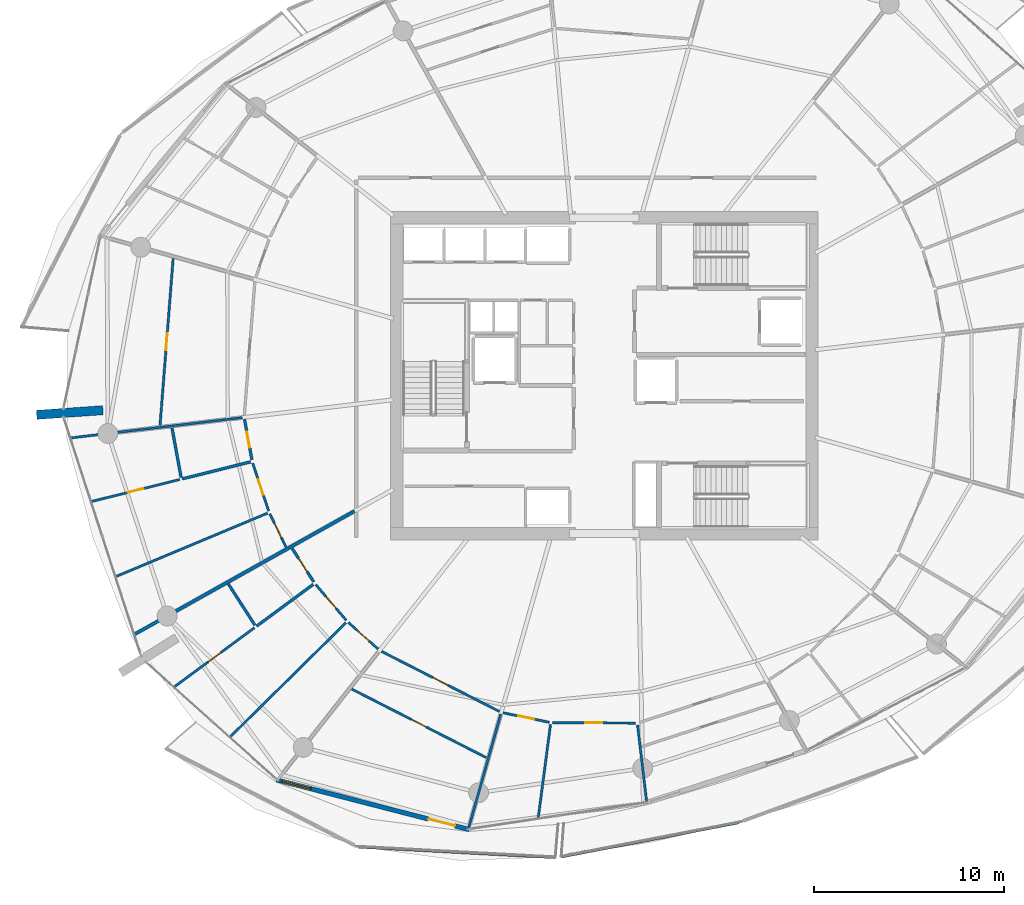
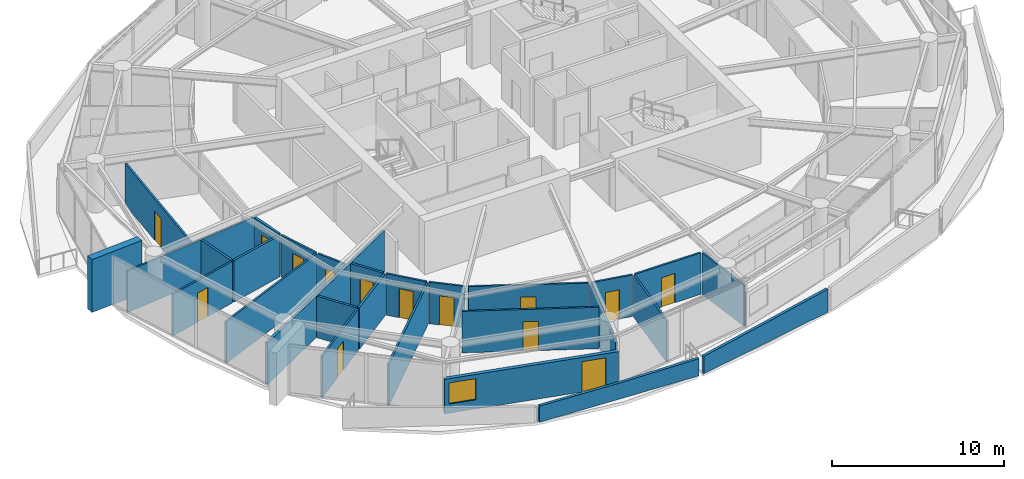
# One storey, part 11 of 21: 28 walls, 14 doors, 1 window, 15 openings.
"""IFC4 building model written with IfcOpenShell, lengths in metres."""

from ifc_helpers import new_model, si_unit, direction, frame, frame_2d, origin, place, context, subcontext, project, spatial, polyline, rectangle, outline, extrude, material, layer, layer_set, type_object, element, fill, save


model = new_model("IFC4")

# Units and contexts
model_context = context("Model", 3, precision=1e-05, world=origin(), true_north=direction((0.0, 1.0)))
body_context = subcontext(model_context, "Body", "Model", "MODEL_VIEW")
ifc_project = project(units=[si_unit("LENGTHUNIT", "METRE"), si_unit("AREAUNIT", "SQUARE_METRE"), si_unit("VOLUMEUNIT", "CUBIC_METRE"), si_unit("PLANEANGLEUNIT", "RADIAN"), si_unit("MASSUNIT", "GRAM", prefix="KILO")], contexts=[model_context])

# Site, building, storey
site_placement = place(None, origin())
site = spatial("IfcSite", under=ifc_project, at=site_placement, CompositionType="ELEMENT")
building_placement = place(site_placement, origin())
building = spatial("IfcBuilding", under=site, at=building_placement, Name="Kazma Halo Residences", CompositionType="ELEMENT")
storey_placement = place(building_placement, frame((0.0, 0.0, 191.550048828125)))
storey = spatial("IfcBuildingStorey", under=building, at=storey_placement, Name="L48", CompositionType="ELEMENT", Elevation=191.550048828125)

# Walls
ifc_material_1 = material(Name="White Concrete C50/60 Balustrade", Category="concrete")
ifc_layer_1 = layer(ifc_material_1, 0.179931640625)
ifc_layer_set_1 = layer_set([ifc_layer_1], Name="White Concrete C50/60 Balustrade")
wall_type_1 = type_object("IfcWallType", Name="WL-BAL-WAVE-180", PredefinedType="PARAPET", material=ifc_layer_set_1)
wall_1_placement = place(storey_placement, frame((35.4716796875, 17.17041015625, 0.0), z_axis=(0.0, 0.0, 1.0), x_axis=(0.998572477619, -0.053413546421, 0.0)))
element("IfcWall", 1, at=wall_1_placement, inside=storey, type_object=wall_type_1, Name="L48 white wave balustrade wall SW.2", PredefinedType="PARAPET", context=body_context, shape_type="SweptSolid", body=[
    extrude(outline(polyline([(0.0, 0.0), (10.389404296875, 0.0), (10.38916015625, 1.223876953125), (5.194580078125, 1.126953125), (0.0, 1.14794921875), (0.0, 0.0)])), frame((0.0, 0.08984375, 0.0), z_axis=(0.0, -1.0, 0.0), x_axis=(1.0, 0.0, 0.0)), (0.0, 0.0, 1.0), 0.179931640625),
])
wall_2_placement = place(storey_placement, frame((46.16064453125, 16.648681640625, 0.0), z_axis=(0.0, 0.0, 1.0), x_axis=(0.981918699124, 0.189303112259, 0.0)))
element("IfcWall", 2, at=wall_2_placement, inside=storey, type_object=wall_type_1, Name="L48 white wave balustrade wall SSE.1", PredefinedType="PARAPET", context=body_context, shape_type="SweptSolid", body=[
    extrude(outline(polyline([(0.0, 0.0), (9.537109375, 0.0), (9.537109375, 1.6318359375), (4.7685546875, 1.41796875), (0.0, 1.23291015625), (0.0, 0.0)])), frame((0.0, 0.08984375, 0.0), z_axis=(0.0, -1.0, 0.0), x_axis=(1.0, 0.0, 0.0)), (0.0, 0.0, 1.0), 0.179931640625),
])
ifc_material_2 = material(Name="Pale Concrete C60/75", Category="concrete")
ifc_layer_2 = layer(ifc_material_2, 0.47998046875)
ifc_layer_set_2 = layer_set([ifc_layer_2], Name="Pale Concrete C60/75")
wall_type_2 = type_object("IfcWallType", Name="WL-BLADE-480", PredefinedType="SOLIDWALL", material=ifc_layer_set_2)
wall_3_placement = place(storey_placement, frame((21.9873046875, 40.180908203125, 0.0), z_axis=(0.0, 0.0, 1.0), x_axis=(-0.997568676264, -0.069690287244, 0.0)))
element("IfcWall", 3, at=wall_3_placement, inside=storey, type_object=wall_type_2, Name="L48 pale concrete structural blade fin wall BW-02", PredefinedType="SOLIDWALL", context=body_context, shape_type="SweptSolid", body=[
    extrude(rectangle(XDim=3.499755859375, YDim=0.47998046875, at=frame_2d((1.75, 0.0))), origin(), (0.0, 0.0, 1.0), 3.75),
])
ifc_material_3 = material(Name="Acoustic Twin-Stud Gypsum")
ifc_layer_3 = layer(ifc_material_3, 0.179931640625)
ifc_layer_set_3 = layer_set([ifc_layer_3], Name="Acoustic Twin-Stud Gypsum")
wall_type_3 = type_object("IfcWallType", Name="WL-DEM-180", PredefinedType="PARTITIONING", material=ifc_layer_set_3)
wall_4_placement = place(storey_placement, frame((35.25390625, 34.862060546875, 0.0), z_axis=(0.0, 0.0, 1.0), x_axis=(-0.872489721771, -0.488632464541, 0.0)))
element("IfcWall", 4, at=wall_4_placement, inside=storey, type_object=wall_type_3, Name="L48 apartment demising radial wall 08", PredefinedType="PARTITIONING", context=body_context, shape_type="SweptSolid", body=[
    extrude(rectangle(XDim=13.286376953125, YDim=0.179931640625, at=frame_2d((6.64306640625, 0.0))), origin(), (0.0, 0.0, 1.0), 2.93994140625),
])

# Wall, openings, door, window
ifc_material_4 = material(Name="Insulated Pale-Metal Composite Wall")
ifc_layer_4 = layer(ifc_material_4, 0.239990234375)
ifc_layer_set_4 = layer_set([ifc_layer_4], Name="Insulated Pale-Metal Composite Wall")
wall_type_4 = type_object("IfcWallType", Name="WL-EXT-HOST-240", PredefinedType="SOLIDWALL", material=ifc_layer_set_4)
wall_5_placement = place(storey_placement, frame((31.139892578125, 20.68701171875, 0.0), z_axis=(0.0, 0.0, 1.0), x_axis=(0.968374028006, -0.249502989727, 0.0)))
wall_5 = element("IfcWall", 5, at=wall_5_placement, inside=storey, type_object=wall_type_4, Name="L48 exterior terrace-access wall B10", PredefinedType="SOLIDWALL", context=body_context, shape_type="SweptSolid", body=[
    extrude(rectangle(XDim=10.494384765625, YDim=0.239990234375, at=frame_2d((5.2470703125, 0.0))), origin(), (0.0, 0.0, 1.0), 2.449951171875),
])
opening_1_placement = place(wall_5_placement, frame((8.2744140625, 0.0, 0.0)))
opening_1 = element("IfcOpeningElement", 6, at=opening_1_placement, cuts=wall_5, Name="Opening DTR-1600", PredefinedType="OPENING", context=body_context, shape_type="SweptSolid", body=[
    extrude(rectangle(XDim=1.449951171875, YDim=2.14990234375, at=frame_2d((0.72509765625, 1.074951171875))), frame((0.0, 0.1298828125, 0.0), z_axis=(0.0, -1.0, 0.0), x_axis=(1.0, 0.0, 0.0)), (0.0, 0.0, 1.0), 0.260009765625),
])
opening_2_placement = place(wall_5_placement, frame((0.280029296875, 0.0, 0.64990234375)))
opening_2 = element("IfcOpeningElement", 7, at=opening_2_placement, cuts=wall_5, Name="Opening W-1800", PredefinedType="OPENING", context=body_context, shape_type="SweptSolid", body=[
    extrude(rectangle(XDim=1.60009765625, YDim=1.5, at=frame_2d((0.800048828125, 0.75))), frame((0.0, 0.1298828125, 0.0), z_axis=(0.0, -1.0, 0.0), x_axis=(1.0, 0.0, 0.0)), (0.0, 0.0, 1.0), 0.260009765625),
])
ifc_material_5 = material(Name="Aluminium AW-6063 T6 Double-Glazed Terrace Door", Category="aluminium")
door_type_1 = type_object("IfcDoorType", Name="DR-EXT-TERR-1600", OperationType="NOTDEFINED", PredefinedType="DOOR", material=ifc_material_5)
door_1_placement = place(opening_1_placement, origin())
door_1 = element("IfcDoor", 8, at=door_1_placement, inside=storey, type_object=door_type_1, Name="L48 B10 balcony terrace door", OperationType="DOUBLE_DOOR_SLIDING", OverallHeight=2.14990234375, OverallWidth=1.449951171875, PredefinedType="DOOR", context=body_context, shape_type="SweptSolid", body=[
    extrude(rectangle(XDim=1.449951171875, YDim=2.14990234375, at=frame_2d((0.72509765625, 1.074951171875))), frame((0.0, 0.02490234375, 0.0), z_axis=(0.0, -1.0, 0.0), x_axis=(1.0, 0.0, 0.0)), (0.0, 0.0, 1.0), 0.050048828125),
])
fill(opening_1, door_1)
ifc_material_6 = material(Name="Clear Triple-Silver Low-E Glass in Aluminium AW-6063 T6 Frame", Category="aluminium")
window_type = type_object("IfcWindowType", Name="WIN-RES-1800", PartitioningType="DOUBLE_PANEL_VERTICAL", PredefinedType="WINDOW", material=ifc_material_6)
window_placement = place(opening_2_placement, origin())
window = element("IfcWindow", 9, at=window_placement, inside=storey, type_object=window_type, Name="L48 B10 apartment window", OverallHeight=1.5, OverallWidth=1.60009765625, PartitioningType="SINGLE_PANEL", PredefinedType="WINDOW", context=body_context, shape_type="SweptSolid", body=[
    extrude(rectangle(XDim=1.60009765625, YDim=1.5, at=frame_2d((0.800048828125, 0.75))), frame((0.0, 0.030029296875, 0.0), z_axis=(0.0, -1.0, 0.0), x_axis=(1.0, 0.0, 0.0)), (0.0, 0.0, 1.0), 0.06005859375),
])
fill(opening_2, window)

# Wall, opening, door
ifc_material_7 = material(Name="Gypsum Plasterboard Partition")
ifc_layer_5 = layer(ifc_material_7, 0.125)
ifc_layer_set_5 = layer_set([ifc_layer_5], Name="Gypsum Plasterboard Partition")
wall_type_5 = type_object("IfcWallType", Name="WL-PART-125", PredefinedType="PARTITIONING", material=ifc_layer_set_5)
wall_6_placement = place(storey_placement, frame((25.690185546875, 48.1796875, 0.0), z_axis=(0.0, 0.0, 1.0), x_axis=(-0.078440443211, -0.996918801542, 0.0)))
wall_6 = element("IfcWall", 10, at=wall_6_placement, inside=storey, type_object=wall_type_5, Name="L48 Apartment 1 Secondary Master Bedroom divider wall", PredefinedType="PARTITIONING", context=body_context, shape_type="SweptSolid", body=[
    extrude(rectangle(XDim=8.820556640625, YDim=0.125, at=frame_2d((4.41015625, 0.0))), origin(), (0.0, 0.0, 1.0), 2.93994140625),
])
opening_3_placement = place(wall_6_placement, frame((3.96044921875, 0.0, 0.0)))
opening_3 = element("IfcOpeningElement", 11, at=opening_3_placement, cuts=wall_6, Name="Opening DI-950", PredefinedType="OPENING", context=body_context, shape_type="SweptSolid", body=[
    extrude(rectangle(XDim=0.89990234375, YDim=2.080078125, at=frame_2d((0.449951171875, 1.0400390625))), frame((0.0, 0.072509765625, 0.0), z_axis=(0.0, -1.0, 0.0), x_axis=(1.0, 0.0, 0.0)), (0.0, 0.0, 1.0), 0.14501953125),
])
ifc_material_8 = material(Name="Timber Veneer Flush Leaf", Category="wood")
door_type_2 = type_object("IfcDoorType", Name="DR-INT-950", OperationType="NOTDEFINED", PredefinedType="DOOR", material=ifc_material_8)
door_2_placement = place(opening_3_placement, origin())
door_2 = element("IfcDoor", 12, at=door_2_placement, inside=storey, type_object=door_type_2, Name="L48 Apartment 1 Secondary Master Bedroom door", OperationType="SINGLE_SWING_RIGHT", OverallHeight=2.080078125, OverallWidth=0.89990234375, PredefinedType="DOOR", context=body_context, shape_type="SweptSolid", body=[
    extrude(rectangle(XDim=0.89990234375, YDim=2.080078125, at=frame_2d((0.449951171875, 1.0400390625))), frame((0.0, 0.02490234375, 0.0), z_axis=(0.0, -1.0, 0.0), x_axis=(1.0, 0.0, 0.0)), (0.0, 0.0, 1.0), 0.050048828125),
])
fill(opening_3, door_2)

# Wall
wall_7_placement = place(storey_placement, frame((29.336181640625, 39.791015625, 0.0), z_axis=(0.0, 0.0, 1.0), x_axis=(-0.99306722244, -0.117547827356, 0.0)))
element("IfcWall", 13, at=wall_7_placement, inside=storey, type_object=wall_type_5, Name="L48 Apartment 1 radial partition 7", PredefinedType="PARTITIONING", context=body_context, shape_type="SweptSolid", body=[
    extrude(rectangle(XDim=9.10107421875, YDim=0.125, at=frame_2d((4.550537109375, 0.0))), origin(), (0.0, 0.0, 1.0), 2.93994140625),
])

# Wall, opening, door
wall_8_placement = place(storey_placement, frame((26.037841796875, 36.526123046875, 0.0), z_axis=(0.0, 0.0, 1.0), x_axis=(-0.970322062613, -0.241816241817, 0.0)))
wall_8 = element("IfcWall", 14, at=wall_8_placement, inside=storey, type_object=wall_type_5, Name="L48 Apartment 1 West Walk-In Wardrobe partition wall", PredefinedType="PARTITIONING", context=body_context, shape_type="SweptSolid", body=[
    extrude(rectangle(XDim=4.79150390625, YDim=0.125, at=frame_2d((2.395751953125, 0.0))), origin(), (0.0, 0.0, 1.0), 2.93994140625),
])
opening_4_placement = place(wall_8_placement, frame((1.970947265625, 0.0, 0.0)))
opening_4 = element("IfcOpeningElement", 15, at=opening_4_placement, cuts=wall_8, Name="Opening DB-900", PredefinedType="OPENING", context=body_context, shape_type="SweptSolid", body=[
    extrude(rectangle(XDim=0.85009765625, YDim=2.06005859375, at=frame_2d((0.425048828125, 1.030029296875))), frame((0.0, 0.072509765625, 0.0), z_axis=(0.0, -1.0, 0.0), x_axis=(1.0, 0.0, 0.0)), (0.0, 0.0, 1.0), 0.14501953125),
])
ifc_material_9 = material(Name="Moisture-Sealed Timber Leaf", Category="wood")
door_type_3 = type_object("IfcDoorType", Name="DR-BTH-900", OperationType="NOTDEFINED", PredefinedType="DOOR", material=ifc_material_9)
door_3_placement = place(opening_4_placement, origin())
door_3 = element("IfcDoor", 16, at=door_3_placement, inside=storey, type_object=door_type_3, Name="L48 Apartment 1 West Walk-In Wardrobe door", OperationType="SINGLE_SWING_LEFT", OverallHeight=2.06005859375, OverallWidth=0.85009765625, PredefinedType="DOOR", context=body_context, shape_type="SweptSolid", body=[
    extrude(rectangle(XDim=0.85009765625, YDim=2.06005859375, at=frame_2d((0.425048828125, 1.030029296875))), frame((0.0, 0.02490234375, 0.0), z_axis=(0.0, -1.0, 0.0), x_axis=(1.0, 0.0, 0.0)), (0.0, 0.0, 1.0), 0.050048828125),
])
fill(opening_4, door_3)

# Wall
wall_9_placement = place(storey_placement, frame((30.669921875, 34.754150390625, 0.0), z_axis=(0.0, 0.0, 1.0), x_axis=(-0.922602845347, -0.385751201887, 0.0)))
element("IfcWall", 17, at=wall_9_placement, inside=storey, type_object=wall_type_5, Name="L48 Apartment 1 suite divider 7", PredefinedType="PARTITIONING", context=body_context, shape_type="SweptSolid", body=[
    extrude(rectangle(XDim=8.6669921875, YDim=0.125, at=frame_2d((4.33349609375, 0.0))), origin(), (0.0, 0.0, 1.0), 2.93994140625),
])

# Wall, opening, door
wall_10_placement = place(storey_placement, frame((29.88916015625, 37.393798828125, 0.0), z_axis=(0.0, 0.0, 1.0), x_axis=(0.314743001449, -0.94917692926, 0.0)))
wall_10 = element("IfcWall", 18, at=wall_10_placement, inside=storey, type_object=wall_type_5, Name="L48 Apartment 1 North Private Study hall wall", PredefinedType="PARTITIONING", context=body_context, shape_type="SweptSolid", body=[
    extrude(rectangle(XDim=2.66455078125, YDim=0.125, at=frame_2d((1.332275390625, 0.0))), origin(), (0.0, 0.0, 1.0), 2.93994140625),
])
opening_5_placement = place(wall_10_placement, frame((0.9072265625, 0.0, 0.0)))
opening_5 = element("IfcOpeningElement", 19, at=opening_5_placement, cuts=wall_10, Name="Opening DB-900", PredefinedType="OPENING", context=body_context, shape_type="SweptSolid", body=[
    extrude(rectangle(XDim=0.85009765625, YDim=2.06005859375, at=frame_2d((0.425048828125, 1.030029296875))), frame((0.0, 0.072509765625, 0.0), z_axis=(0.0, -1.0, 0.0), x_axis=(1.0, 0.0, 0.0)), (0.0, 0.0, 1.0), 0.14501953125),
])
door_4_placement = place(opening_5_placement, origin())
door_4 = element("IfcDoor", 20, at=door_4_placement, inside=storey, type_object=door_type_3, Name="L48 Apartment 1 North Private Study door", OperationType="SINGLE_SWING_RIGHT", OverallHeight=2.06005859375, OverallWidth=0.85009765625, PredefinedType="DOOR", context=body_context, shape_type="SweptSolid", body=[
    extrude(rectangle(XDim=0.85009765625, YDim=2.06005859375, at=frame_2d((0.425048828125, 1.030029296875))), frame((0.0, 0.02490234375, 0.0), z_axis=(0.0, -1.0, 0.0), x_axis=(1.0, 0.0, 0.0)), (0.0, 0.0, 1.0), 0.050048828125),
])
fill(opening_5, door_4)

wall_11_placement = place(storey_placement, frame((30.787841796875, 34.716796875, 0.0), z_axis=(0.0, 0.0, 1.0), x_axis=(0.437917773095, -0.899015029912, 0.0)))
wall_11 = element("IfcWall", 21, at=wall_11_placement, inside=storey, type_object=wall_type_5, Name="L48 Apartment 1 South Master Bedroom hall wall", PredefinedType="PARTITIONING", context=body_context, shape_type="SweptSolid", body=[
    extrude(rectangle(XDim=1.958984375, YDim=0.125, at=frame_2d((0.9794921875, 0.0))), origin(), (0.0, 0.0, 1.0), 2.93994140625),
])
opening_6_placement = place(wall_11_placement, frame((0.5546875, 0.0, 0.0)))
opening_6 = element("IfcOpeningElement", 22, at=opening_6_placement, cuts=wall_11, Name="Opening DB-900", PredefinedType="OPENING", context=body_context, shape_type="SweptSolid", body=[
    extrude(rectangle(XDim=0.85009765625, YDim=2.06005859375, at=frame_2d((0.425048828125, 1.030029296875))), frame((0.0, 0.072509765625, 0.0), z_axis=(0.0, -1.0, 0.0), x_axis=(1.0, 0.0, 0.0)), (0.0, 0.0, 1.0), 0.14501953125),
])
door_5_placement = place(opening_6_placement, origin())
door_5 = element("IfcDoor", 23, at=door_5_placement, inside=storey, type_object=door_type_3, Name="L48 Apartment 1 South Master Bedroom door", OperationType="SINGLE_SWING_LEFT", OverallHeight=2.06005859375, OverallWidth=0.85009765625, PredefinedType="DOOR", context=body_context, shape_type="SweptSolid", body=[
    extrude(rectangle(XDim=0.85009765625, YDim=2.06005859375, at=frame_2d((0.425048828125, 1.030029296875))), frame((0.0, 0.02490234375, 0.0), z_axis=(0.0, -1.0, 0.0), x_axis=(1.0, 0.0, 0.0)), (0.0, 0.0, 1.0), 0.050048828125),
])
fill(opening_6, door_5)

wall_12_placement = place(storey_placement, frame((29.98193359375, 28.713623046875, 0.0), z_axis=(0.0, 0.0, 1.0), x_axis=(-0.804838915654, -0.593493319128, 0.0)))
wall_12 = element("IfcWall", 24, at=wall_12_placement, inside=storey, type_object=wall_type_5, Name="L48 Apartment 2 Utility Laundry Room partition wall", PredefinedType="PARTITIONING", context=body_context, shape_type="SweptSolid", body=[
    extrude(rectangle(XDim=5.262939453125, YDim=0.125, at=frame_2d((2.63134765625, 0.0))), origin(), (0.0, 0.0, 1.0), 2.93994140625),
])
opening_7_placement = place(wall_12_placement, frame((2.20654296875, 0.0, 0.0)))
opening_7 = element("IfcOpeningElement", 25, at=opening_7_placement, cuts=wall_12, Name="Opening DB-900", PredefinedType="OPENING", context=body_context, shape_type="SweptSolid", body=[
    extrude(rectangle(XDim=0.85009765625, YDim=2.06005859375, at=frame_2d((0.425048828125, 1.030029296875))), frame((0.0, 0.072509765625, 0.0), z_axis=(0.0, -1.0, 0.0), x_axis=(1.0, 0.0, 0.0)), (0.0, 0.0, 1.0), 0.14501953125),
])
door_6_placement = place(opening_7_placement, origin())
door_6 = element("IfcDoor", 26, at=door_6_placement, inside=storey, type_object=door_type_3, Name="L48 Apartment 2 Utility Laundry Room door", OperationType="SINGLE_SWING_RIGHT", OverallHeight=2.06005859375, OverallWidth=0.85009765625, PredefinedType="DOOR", context=body_context, shape_type="SweptSolid", body=[
    extrude(rectangle(XDim=0.85009765625, YDim=2.06005859375, at=frame_2d((0.425048828125, 1.030029296875))), frame((0.0, 0.02490234375, 0.0), z_axis=(0.0, -1.0, 0.0), x_axis=(1.0, 0.0, 0.0)), (0.0, 0.0, 1.0), 0.050048828125),
])
fill(opening_7, door_6)

# Wall
wall_13_placement = place(storey_placement, frame((34.804443359375, 28.980712890625, 0.0), z_axis=(0.0, 0.0, 1.0), x_axis=(-0.711838138291, -0.702343551885, 0.0)))
element("IfcWall", 27, at=wall_13_placement, inside=storey, type_object=wall_type_5, Name="L48 Apartment 2 suite divider 8", PredefinedType="PARTITIONING", context=body_context, shape_type="SweptSolid", body=[
    extrude(rectangle(XDim=8.58837890625, YDim=0.125, at=frame_2d((4.294189453125, 0.0))), origin(), (0.0, 0.0, 1.0), 2.93994140625),
])

# Wall, opening, door
wall_14_placement = place(storey_placement, frame((33.211669921875, 30.9833984375, 0.0), z_axis=(0.0, 0.0, 1.0), x_axis=(0.649553685552, -0.760315730198, 0.0)))
wall_14 = element("IfcWall", 28, at=wall_14_placement, inside=storey, type_object=wall_type_5, Name="L48 Apartment 2 Gourmet Kitchen hall wall", PredefinedType="PARTITIONING", context=body_context, shape_type="SweptSolid", body=[
    extrude(rectangle(XDim=2.470947265625, YDim=0.125, at=frame_2d((1.2353515625, 0.0))), origin(), (0.0, 0.0, 1.0), 2.93994140625),
])
opening_8_placement = place(wall_14_placement, frame((0.810546875, 0.0, 0.0)))
opening_8 = element("IfcOpeningElement", 29, at=opening_8_placement, cuts=wall_14, Name="Opening DB-900", PredefinedType="OPENING", context=body_context, shape_type="SweptSolid", body=[
    extrude(rectangle(XDim=0.85009765625, YDim=2.06005859375, at=frame_2d((0.425048828125, 1.030029296875))), frame((0.0, 0.072509765625, 0.0), z_axis=(0.0, -1.0, 0.0), x_axis=(1.0, 0.0, 0.0)), (0.0, 0.0, 1.0), 0.14501953125),
])
door_7_placement = place(opening_8_placement, origin())
door_7 = element("IfcDoor", 30, at=door_7_placement, inside=storey, type_object=door_type_3, Name="L48 Apartment 2 Gourmet Kitchen door", OperationType="SINGLE_SWING_LEFT", OverallHeight=2.06005859375, OverallWidth=0.85009765625, PredefinedType="DOOR", context=body_context, shape_type="SweptSolid", body=[
    extrude(rectangle(XDim=0.85009765625, YDim=2.06005859375, at=frame_2d((0.425048828125, 1.030029296875))), frame((0.0, 0.02490234375, 0.0), z_axis=(0.0, -1.0, 0.0), x_axis=(1.0, 0.0, 0.0)), (0.0, 0.0, 1.0), 0.050048828125),
])
fill(opening_8, door_7)

wall_15_placement = place(storey_placement, frame((34.92822265625, 28.99072265625, 0.0), z_axis=(0.0, 0.0, 1.0), x_axis=(0.745304685955, -0.666724024686, 0.0)))
wall_15 = element("IfcWall", 31, at=wall_15_placement, inside=storey, type_object=wall_type_5, Name="L48 Apartment 2 Primary Bedroom hall wall", PredefinedType="PARTITIONING", context=body_context, shape_type="SweptSolid", body=[
    extrude(rectangle(XDim=2.11572265625, YDim=0.125, at=frame_2d((1.057861328125, 0.0))), origin(), (0.0, 0.0, 1.0), 2.93994140625),
])
opening_9_placement = place(wall_15_placement, frame((0.6328125, 0.0, 0.0)))
opening_9 = element("IfcOpeningElement", 32, at=opening_9_placement, cuts=wall_15, Name="Opening DB-900", PredefinedType="OPENING", context=body_context, shape_type="SweptSolid", body=[
    extrude(rectangle(XDim=0.85009765625, YDim=2.06005859375, at=frame_2d((0.425048828125, 1.030029296875))), frame((0.0, 0.072509765625, 0.0), z_axis=(0.0, -1.0, 0.0), x_axis=(1.0, 0.0, 0.0)), (0.0, 0.0, 1.0), 0.14501953125),
])
door_8_placement = place(opening_9_placement, origin())
door_8 = element("IfcDoor", 33, at=door_8_placement, inside=storey, type_object=door_type_3, Name="L48 Apartment 2 Primary Bedroom door", OperationType="SINGLE_SWING_RIGHT", OverallHeight=2.06005859375, OverallWidth=0.85009765625, PredefinedType="DOOR", context=body_context, shape_type="SweptSolid", body=[
    extrude(rectangle(XDim=0.85009765625, YDim=2.06005859375, at=frame_2d((0.425048828125, 1.030029296875))), frame((0.0, 0.02490234375, 0.0), z_axis=(0.0, -1.0, 0.0), x_axis=(1.0, 0.0, 0.0)), (0.0, 0.0, 1.0), 0.050048828125),
])
fill(opening_9, door_8)

wall_16_placement = place(storey_placement, frame((36.677490234375, 27.46337890625, 0.0), z_axis=(0.0, 0.0, 1.0), x_axis=(0.891000510506, -0.454002302063, 0.0)))
wall_16 = element("IfcWall", 34, at=wall_16_placement, inside=storey, type_object=wall_type_5, Name="L48 Apartment 2 East Study hall wall", PredefinedType="PARTITIONING", context=body_context, shape_type="SweptSolid", body=[
    extrude(rectangle(XDim=6.977783203125, YDim=0.125, at=frame_2d((3.48876953125, 0.0))), origin(), (0.0, 0.0, 1.0), 2.93994140625),
])
opening_10_placement = place(wall_16_placement, frame((3.038818359375, 0.0, 0.0)))
opening_10 = element("IfcOpeningElement", 35, at=opening_10_placement, cuts=wall_16, Name="Opening DI-950", PredefinedType="OPENING", context=body_context, shape_type="SweptSolid", body=[
    extrude(rectangle(XDim=0.89990234375, YDim=2.080078125, at=frame_2d((0.449951171875, 1.0400390625))), frame((0.0, 0.072509765625, 0.0), z_axis=(0.0, -1.0, 0.0), x_axis=(1.0, 0.0, 0.0)), (0.0, 0.0, 1.0), 0.14501953125),
])
door_9_placement = place(opening_10_placement, origin())
door_9 = element("IfcDoor", 36, at=door_9_placement, inside=storey, type_object=door_type_2, Name="L48 Apartment 2 East Study door", OperationType="SINGLE_SWING_RIGHT", OverallHeight=2.080078125, OverallWidth=0.89990234375, PredefinedType="DOOR", context=body_context, shape_type="SweptSolid", body=[
    extrude(rectangle(XDim=0.89990234375, YDim=2.080078125, at=frame_2d((0.449951171875, 1.0400390625))), frame((0.0, 0.02490234375, 0.0), z_axis=(0.0, -1.0, 0.0), x_axis=(1.0, 0.0, 0.0)), (0.0, 0.0, 1.0), 0.050048828125),
])
fill(opening_10, door_9)

wall_17_placement = place(storey_placement, frame((35.110107421875, 25.474853515625, 0.0), z_axis=(0.0, 0.0, 1.0), x_axis=(0.89101166114, -0.453980417764, 0.0)))
wall_17 = element("IfcWall", 37, at=wall_17_placement, inside=storey, type_object=wall_type_5, Name="L48 Apartment 2 West Master Bedroom divider wall", PredefinedType="PARTITIONING", context=body_context, shape_type="SweptSolid", body=[
    extrude(rectangle(XDim=7.965576171875, YDim=0.125, at=frame_2d((3.98291015625, 0.0))), origin(), (0.0, 0.0, 1.0), 2.93994140625),
])
opening_11_placement = place(wall_17_placement, frame((3.53271484375, 0.0, 0.0)))
opening_11 = element("IfcOpeningElement", 38, at=opening_11_placement, cuts=wall_17, Name="Opening DI-950", PredefinedType="OPENING", context=body_context, shape_type="SweptSolid", body=[
    extrude(rectangle(XDim=0.89990234375, YDim=2.080078125, at=frame_2d((0.449951171875, 1.0400390625))), frame((0.0, 0.072509765625, 0.0), z_axis=(0.0, -1.0, 0.0), x_axis=(1.0, 0.0, 0.0)), (0.0, 0.0, 1.0), 0.14501953125),
])
door_10_placement = place(opening_11_placement, origin())
door_10 = element("IfcDoor", 39, at=door_10_placement, inside=storey, type_object=door_type_2, Name="L48 Apartment 2 West Master Bedroom door", OperationType="SINGLE_SWING_LEFT", OverallHeight=2.080078125, OverallWidth=0.89990234375, PredefinedType="DOOR", context=body_context, shape_type="SweptSolid", body=[
    extrude(rectangle(XDim=0.89990234375, YDim=2.080078125, at=frame_2d((0.449951171875, 1.0400390625))), frame((0.0, 0.02490234375, 0.0), z_axis=(0.0, -1.0, 0.0), x_axis=(1.0, 0.0, 0.0)), (0.0, 0.0, 1.0), 0.050048828125),
])
fill(opening_11, door_10)

# Walls
wall_18_placement = place(storey_placement, frame((42.965576171875, 24.1494140625, 0.0), z_axis=(0.0, 0.0, 1.0), x_axis=(-0.271437645754, -0.96245602729, 0.0)))
element("IfcWall", 40, at=wall_18_placement, inside=storey, type_object=wall_type_5, Name="L48 Apartment 2 radial partition 10", PredefinedType="PARTITIONING", context=body_context, shape_type="SweptSolid", body=[
    extrude(rectangle(XDim=6.179931640625, YDim=0.125, at=frame_2d((3.08984375, 0.0))), origin(), (0.0, 0.0, 1.0), 2.93994140625),
])
wall_19_placement = place(storey_placement, frame((45.590087890625, 23.620361328125, 0.0), z_axis=(0.0, 0.0, 1.0), x_axis=(-0.130002577968, -0.991513655842, 0.0)))
element("IfcWall", 41, at=wall_19_placement, inside=storey, type_object=wall_type_5, Name="L48 Apartment 2 mid-bay wall 10", PredefinedType="PARTITIONING", context=body_context, shape_type="SweptSolid", body=[
    extrude(rectangle(XDim=5.0029296875, YDim=0.125, at=frame_2d((2.50146484375, 0.0))), origin(), (0.0, 0.0, 1.0), 2.93994140625),
])

# Wall, opening, door
wall_20_placement = place(storey_placement, frame((43.0908203125, 24.2255859375, 0.0), z_axis=(0.0, 0.0, 1.0), x_axis=(0.979523234934, -0.201331150657, 0.0)))
wall_20 = element("IfcWall", 42, at=wall_20_placement, inside=storey, type_object=wall_type_5, Name="L48 Apartment 2 North Laundry Room hall wall", PredefinedType="PARTITIONING", context=body_context, shape_type="SweptSolid", body=[
    extrude(rectangle(XDim=2.4833984375, YDim=0.125, at=frame_2d((1.24169921875, 0.0))), origin(), (0.0, 0.0, 1.0), 2.93994140625),
])
opening_12_placement = place(wall_20_placement, frame((0.81689453125, 0.0, 0.0)))
opening_12 = element("IfcOpeningElement", 43, at=opening_12_placement, cuts=wall_20, Name="Opening DB-900", PredefinedType="OPENING", context=body_context, shape_type="SweptSolid", body=[
    extrude(rectangle(XDim=0.85009765625, YDim=2.06005859375, at=frame_2d((0.425048828125, 1.030029296875))), frame((0.0, 0.072509765625, 0.0), z_axis=(0.0, -1.0, 0.0), x_axis=(1.0, 0.0, 0.0)), (0.0, 0.0, 1.0), 0.14501953125),
])
door_11_placement = place(opening_12_placement, origin())
door_11 = element("IfcDoor", 44, at=door_11_placement, inside=storey, type_object=door_type_3, Name="L48 Apartment 2 North Laundry Room door", OperationType="SINGLE_SWING_LEFT", OverallHeight=2.06005859375, OverallWidth=0.85009765625, PredefinedType="DOOR", context=body_context, shape_type="SweptSolid", body=[
    extrude(rectangle(XDim=0.85009765625, YDim=2.06005859375, at=frame_2d((0.425048828125, 1.030029296875))), frame((0.0, 0.02490234375, 0.0), z_axis=(0.0, -1.0, 0.0), x_axis=(1.0, 0.0, 0.0)), (0.0, 0.0, 1.0), 0.050048828125),
])
fill(opening_12, door_11)

wall_21_placement = place(storey_placement, frame((45.681884765625, 23.708984375, 0.0), z_axis=(0.0, 0.0, 1.0), x_axis=(0.999980220686, -0.006289533838, 0.0)))
wall_21 = element("IfcWall", 45, at=wall_21_placement, inside=storey, type_object=wall_type_5, Name="L48 Apartment 2 South Bedroom hall wall", PredefinedType="PARTITIONING", context=body_context, shape_type="SweptSolid", body=[
    extrude(rectangle(XDim=4.38623046875, YDim=0.125, at=frame_2d((2.193115234375, 0.0))), origin(), (0.0, 0.0, 1.0), 2.93994140625),
])
opening_13_placement = place(wall_21_placement, frame((1.7431640625, 0.0, 0.0)))
opening_13 = element("IfcOpeningElement", 46, at=opening_13_placement, cuts=wall_21, Name="Opening DI-950", PredefinedType="OPENING", context=body_context, shape_type="SweptSolid", body=[
    extrude(rectangle(XDim=0.89990234375, YDim=2.080078125, at=frame_2d((0.449951171875, 1.0400390625))), frame((0.0, 0.072509765625, 0.0), z_axis=(0.0, -1.0, 0.0), x_axis=(1.0, 0.0, 0.0)), (0.0, 0.0, 1.0), 0.14501953125),
])
door_12_placement = place(opening_13_placement, origin())
door_12 = element("IfcDoor", 47, at=door_12_placement, inside=storey, type_object=door_type_2, Name="L48 Apartment 2 South Bedroom door", OperationType="SINGLE_SWING_RIGHT", OverallHeight=2.080078125, OverallWidth=0.89990234375, PredefinedType="DOOR", context=body_context, shape_type="SweptSolid", body=[
    extrude(rectangle(XDim=0.89990234375, YDim=2.080078125, at=frame_2d((0.449951171875, 1.0400390625))), frame((0.0, 0.02490234375, 0.0), z_axis=(0.0, -1.0, 0.0), x_axis=(1.0, 0.0, 0.0)), (0.0, 0.0, 1.0), 0.050048828125),
])
fill(opening_13, door_12)

# Wall
wall_22_placement = place(storey_placement, frame((50.179931640625, 23.58154296875, 0.0), z_axis=(0.0, 0.0, 1.0), x_axis=(0.117520306907, -0.993070479606, 0.0)))
element("IfcWall", 48, at=wall_22_placement, inside=storey, type_object=wall_type_5, Name="L48 Apartment 2 radial partition 11", PredefinedType="PARTITIONING", context=body_context, shape_type="SweptSolid", body=[
    extrude(rectangle(XDim=4.08837890625, YDim=0.125, at=frame_2d((2.044189453125, 0.0))), origin(), (0.0, 0.0, 1.0), 2.93994140625),
])

# Wall, opening, door
ifc_material_10 = material(Name="Moisture-Resistant Gypsum")
ifc_layer_6 = layer(ifc_material_10, 0.14990234375)
ifc_layer_set_6 = layer_set([ifc_layer_6], Name="Moisture-Resistant Gypsum")
wall_type_6 = type_object("IfcWallType", Name="WL-WET-150", PredefinedType="PARTITIONING", material=ifc_layer_set_6)
wall_23_placement = place(storey_placement, frame((29.45361328125, 39.704345703125, 0.0), z_axis=(0.0, 0.0, 1.0), x_axis=(0.180052393527, -0.983657021316, 0.0)))
wall_23 = element("IfcWall", 49, at=wall_23_placement, inside=storey, type_object=wall_type_6, Name="L48 Apartment 1 East En-Suite Bathroom hall wall", PredefinedType="PARTITIONING", context=body_context, shape_type="SweptSolid", body=[
    extrude(rectangle(XDim=2.172119140625, YDim=0.14990234375, at=frame_2d((1.0859375, 0.0))), origin(), (0.0, 0.0, 1.0), 2.93994140625),
])
opening_14_placement = place(wall_23_placement, frame((0.6611328125, 0.0, 0.0)))
opening_14 = element("IfcOpeningElement", 50, at=opening_14_placement, cuts=wall_23, Name="Opening DB-900", PredefinedType="OPENING", context=body_context, shape_type="SweptSolid", body=[
    extrude(rectangle(XDim=0.85009765625, YDim=2.06005859375, at=frame_2d((0.425048828125, 1.030029296875))), frame((0.0, 0.0849609375, 0.0), z_axis=(0.0, -1.0, 0.0), x_axis=(1.0, 0.0, 0.0)), (0.0, 0.0, 1.0), 0.169921875),
])
door_13_placement = place(opening_14_placement, origin())
door_13 = element("IfcDoor", 51, at=door_13_placement, inside=storey, type_object=door_type_3, Name="L48 Apartment 1 East En-Suite Bathroom door", OperationType="SINGLE_SWING_RIGHT", OverallHeight=2.06005859375, OverallWidth=0.85009765625, PredefinedType="DOOR", context=body_context, shape_type="SweptSolid", body=[
    extrude(rectangle(XDim=0.85009765625, YDim=2.06005859375, at=frame_2d((0.425048828125, 1.030029296875))), frame((0.0, 0.02490234375, 0.0), z_axis=(0.0, -1.0, 0.0), x_axis=(1.0, 0.0, 0.0)), (0.0, 0.0, 1.0), 0.050048828125),
])
fill(opening_14, door_13)

# Walls
wall_24_placement = place(storey_placement, frame((25.63037109375, 39.251708984375, 0.0), z_axis=(0.0, 0.0, 1.0), x_axis=(0.179984332974, -0.98366947695, 0.0)))
element("IfcWall", 52, at=wall_24_placement, inside=storey, type_object=wall_type_6, Name="L48 Apartment 1 East En-Suite Bathroom back wall", PredefinedType="PARTITIONING", context=body_context, shape_type="SweptSolid", body=[
    extrude(rectangle(XDim=2.65869140625, YDim=0.14990234375, at=frame_2d((1.329345703125, 0.0))), origin(), (0.0, 0.0, 1.0), 2.93994140625),
])
wall_25_placement = place(storey_placement, frame((29.773681640625, 37.457275390625, 0.0), z_axis=(0.0, 0.0, 1.0), x_axis=(-0.970315973529, -0.241840673822, 0.0)))
element("IfcWall", 53, at=wall_25_placement, inside=storey, type_object=wall_type_6, Name="L48 Apartment 1 East En-Suite Bathroom side wall", PredefinedType="PARTITIONING", context=body_context, shape_type="SweptSolid", body=[
    extrude(rectangle(XDim=3.719970703125, YDim=0.14990234375, at=frame_2d((1.85986328125, 0.0))), origin(), (0.0, 0.0, 1.0), 2.93994140625),
])

# Wall, opening, door
wall_26_placement = place(storey_placement, frame((31.959228515625, 32.90234375, 0.0), z_axis=(0.0, 0.0, 1.0), x_axis=(0.542100541999, -0.840313633333, 0.0)))
wall_26 = element("IfcWall", 54, at=wall_26_placement, inside=storey, type_object=wall_type_6, Name="L48 Apartment 2 Guest Bathroom hall wall", PredefinedType="PARTITIONING", context=body_context, shape_type="SweptSolid", body=[
    extrude(rectangle(XDim=2.1123046875, YDim=0.14990234375, at=frame_2d((1.05615234375, 0.0))), origin(), (0.0, 0.0, 1.0), 2.93994140625),
])
opening_15_placement = place(wall_26_placement, frame((0.631103515625, 0.0, 0.0)))
opening_15 = element("IfcOpeningElement", 55, at=opening_15_placement, cuts=wall_26, Name="Opening DB-900", PredefinedType="OPENING", context=body_context, shape_type="SweptSolid", body=[
    extrude(rectangle(XDim=0.85009765625, YDim=2.06005859375, at=frame_2d((0.425048828125, 1.030029296875))), frame((0.0, 0.0849609375, 0.0), z_axis=(0.0, -1.0, 0.0), x_axis=(1.0, 0.0, 0.0)), (0.0, 0.0, 1.0), 0.169921875),
])
door_14_placement = place(opening_15_placement, origin())
door_14 = element("IfcDoor", 56, at=door_14_placement, inside=storey, type_object=door_type_3, Name="L48 Apartment 2 Guest Bathroom door", OperationType="SINGLE_SWING_LEFT", OverallHeight=2.06005859375, OverallWidth=0.85009765625, PredefinedType="DOOR", context=body_context, shape_type="SweptSolid", body=[
    extrude(rectangle(XDim=0.85009765625, YDim=2.06005859375, at=frame_2d((0.425048828125, 1.030029296875))), frame((0.0, 0.02490234375, 0.0), z_axis=(0.0, -1.0, 0.0), x_axis=(1.0, 0.0, 0.0)), (0.0, 0.0, 1.0), 0.050048828125),
])
fill(opening_15, door_14)

# Walls
wall_27_placement = place(storey_placement, frame((28.60009765625, 31.021240234375, 0.0), z_axis=(0.0, 0.0, 1.0), x_axis=(0.542098987179, -0.840314636371, 0.0)))
element("IfcWall", 57, at=wall_27_placement, inside=storey, type_object=wall_type_6, Name="L48 Apartment 2 Guest Bathroom back wall", PredefinedType="PARTITIONING", context=body_context, shape_type="SweptSolid", body=[
    extrude(rectangle(XDim=2.5927734375, YDim=0.14990234375, at=frame_2d((1.29638671875, 0.0))), origin(), (0.0, 0.0, 1.0), 2.93994140625),
])
wall_28_placement = place(storey_placement, frame((33.080810546875, 30.99853515625, 0.0), z_axis=(0.0, 0.0, 1.0), x_axis=(-0.804856199216, -0.593469880097, 0.0)))
element("IfcWall", 58, at=wall_28_placement, inside=storey, type_object=wall_type_6, Name="L48 Apartment 2 Guest Bathroom side wall", PredefinedType="PARTITIONING", context=body_context, shape_type="SweptSolid", body=[
    extrude(rectangle(XDim=3.72021484375, YDim=0.14990234375, at=frame_2d((1.860107421875, 0.0))), origin(), (0.0, 0.0, 1.0), 2.93994140625),
])

save(model, "model.ifc")
